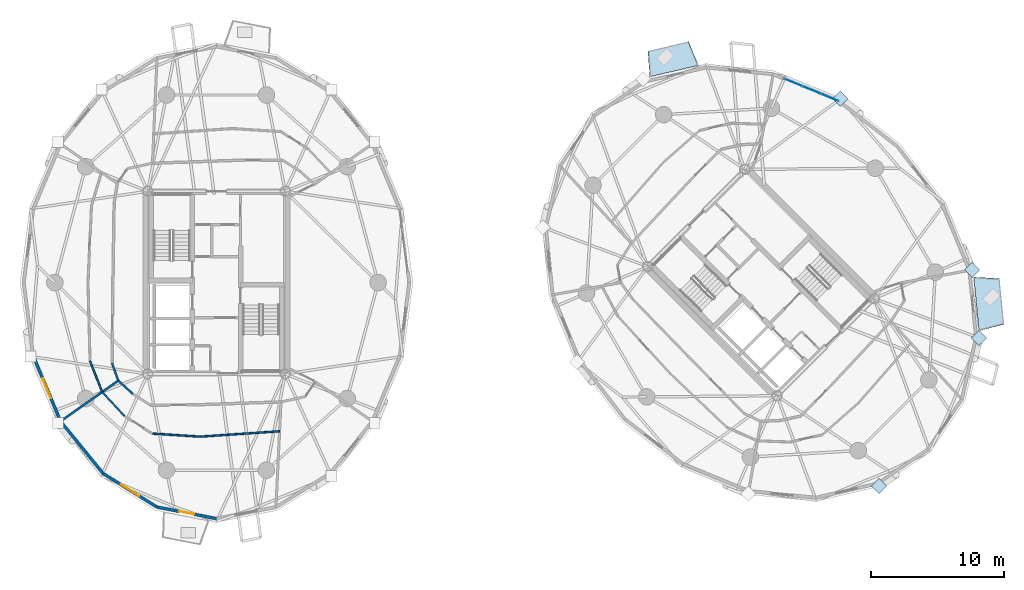
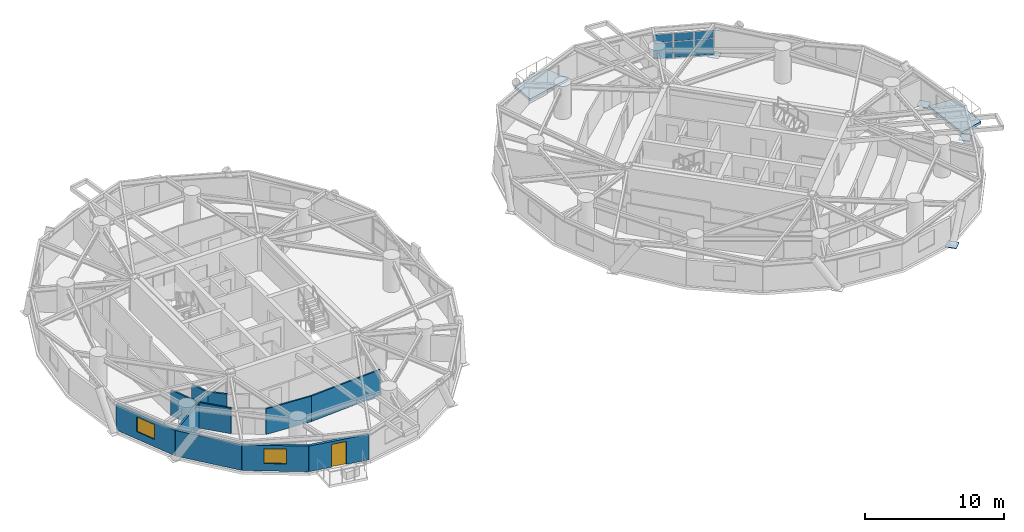
# One storey, part 10 of 19: 11 walls, 10 plates, 2 slabs, 2 windows, 1 door, 3 openings, 1 element without a shape of its own.
"""IFC4 building model written with IfcOpenShell, lengths in metres."""

from ifc_helpers import new_model, si_unit, direction, frame, frame_2d, origin, origin_2d, place, context, subcontext, project, spatial, polyline, rectangle, outline, extrude, source, transform, mapped, material, layer, layer_set, type_object, element, fill, aggregate, save


model = new_model("IFC4")

# Units and contexts
model_context = context("Model", 3, precision=1e-05, world=origin(), true_north=direction((0.0, 1.0)))
body_context = subcontext(model_context, "Body", "Model", "MODEL_VIEW")
ifc_project = project(units=[si_unit("LENGTHUNIT", "METRE"), si_unit("AREAUNIT", "SQUARE_METRE"), si_unit("VOLUMEUNIT", "CUBIC_METRE"), si_unit("PLANEANGLEUNIT", "RADIAN"), si_unit("MASSUNIT", "GRAM", prefix="KILO")], contexts=[model_context])

# Site, building, storey
site_placement = place(None, origin())
site = spatial("IfcSite", under=ifc_project, at=site_placement, CompositionType="ELEMENT")
building_placement = place(site_placement, origin())
building = spatial("IfcBuilding", under=site, at=building_placement, Name="Cununo Teusaquillo Station Towers", CompositionType="ELEMENT")
storey_placement = place(building_placement, frame((0.0, 0.0, 160.330078125)))
storey = spatial("IfcBuildingStorey", under=building, at=storey_placement, Name="L50", CompositionType="ELEMENT", Elevation=160.330078125)

# Slabs
ifc_material_1 = material(Name="Concrete C50/60", Category="concrete")
ifc_layer_1 = layer(ifc_material_1, 0.2099609375)
ifc_layer_set_1 = layer_set([ifc_layer_1], Name="Concrete C50/60")
slab_type = type_object("IfcSlabType", Name="SLB-BAL-210", PredefinedType="FLOOR", material=ifc_layer_set_1)
slab_1_placement = place(storey_placement, frame((0.0, 0.0, -0.2099609375)))
element("IfcSlab", 1, at=slab_1_placement, inside=storey, type_object=slab_type, Name="L50 Tower B Tree Balcony Slab 1", PredefinedType="FLOOR", context=body_context, shape_type="SweptSolid", body=[
    extrude(outline(polyline([(52.78662109375, 40.854736328125), (49.128662109375, 40.001220703125), (48.985595703125, 41.934326171875), (52.059326171875, 42.651611328125), (52.78662109375, 40.854736328125)])), origin(), (0.0, 0.0, 1.0), 0.2099609375),
])
slab_2_placement = place(storey_placement, frame((0.0, 0.0, -0.2099609375)))
element("IfcSlab", 2, at=slab_2_placement, inside=storey, type_object=slab_type, Name="L50 Tower B Tree Balcony Slab 2", PredefinedType="FLOOR", context=body_context, shape_type="SweptSolid", body=[
    extrude(outline(polyline([(73.92578125, 20.871337890625), (73.52490234375, 24.914794921875), (75.460205078125, 24.80517578125), (75.8017578125, 21.358642578125), (73.92578125, 20.871337890625)])), origin(), (0.0, 0.0, 1.0), 0.2099609375),
])

# Plates
ifc_material_2 = material(Name="Steel ASTM A572 Grade 50", Category="steel")
ifc_layer_2 = layer(ifc_material_2, 0.044921875)
ifc_layer_set_2 = layer_set([ifc_layer_2], Name="Steel ASTM A572 Grade 50")
plate_type_1 = type_object("IfcPlateType", Name="PLT-NODE-DN2", PredefinedType="USERDEFINED", material=ifc_layer_set_2)
shared_shape_1 = source(origin(), body_context, "Body", "SweptSolid", [
    extrude(rectangle(XDim=0.820068359375, YDim=0.820068359375, at=origin_2d()), origin(), (0.0, 0.0, 1.0), 0.044921875),
])
for number, where, z_axis, x_axis, name in (
    (3, (63.478271484375, 38.340087890625, -0.16259765625), (0.0, 0.0, 1.0), (0.707106781187, 0.707106781187, 0.0), "L50 Tower B Diagrid Node Assembly C00"),
    (4, (66.37841796875, 9.181884765625, -0.16259765625), (0.0, 0.0, 1.0), (0.707106781187, 0.707106781187, 0.0), "L50 Tower B Diagrid Node Assembly C14"),
    (5, (73.91552734375, 20.3330078125, -0.16259765625), (0.0, 0.0, 1.0), (0.707106781187, 0.707106781187, 0.0), "L50 Tower B Diagrid Node Assembly C16"),
    (6, (73.406494140625, 25.4521484375, -0.16259765625), (0.0, 0.0, 1.0), (0.707106781187, 0.707106781187, 0.0), "L50 Tower B Diagrid Node Assembly C18"),
):
    element("IfcPlate", number, at=place(storey_placement, frame(where, z_axis=z_axis, x_axis=x_axis)), inside=storey, type_object=plate_type_1, Name=name, ObjectType="GUSSET PLATE", PredefinedType="USERDEFINED", context=body_context, shape_type="MappedRepresentation", body=[
        mapped(shared_shape_1, transform((0.0, 0.0, 0.0), x_axis=(1.0, 0.0, 0.0), y_axis=(0.0, 1.0, 0.0), z_axis=(0.0, 0.0, 1.0), scale=1.0)),
    ])

# Curtain wall, plates
ifc_material_3 = material(Name="Operable acoustic tinted low-E double glazing", Category="glass")
ifc_layer_3 = layer(ifc_material_3, 0.179931640625)
ifc_layer_set_3 = layer_set([ifc_layer_3], Name="Operable acoustic tinted low-E double glazing")
curtain_wall_type = type_object("IfcCurtainWallType", Name="CW-SYS-06", PredefinedType="USERDEFINED", material=ifc_layer_set_3)
curtain_wall_placement = place(storey_placement, origin())
curtain_wall = element("IfcCurtainWall", 7, at=curtain_wall_placement, inside=storey, type_object=curtain_wall_type, Name="L50 Tower B Facade Curtain Wall C01", ObjectType="OPERABLE GLAZING", PredefinedType="USERDEFINED")
ifc_material_4 = material(Name="Operable acoustic tinted low-E double glazing", Category="glass")
ifc_layer_4 = layer(ifc_material_4, 0.031982421875)
ifc_layer_set_4 = layer_set([ifc_layer_4], Name="Operable acoustic tinted low-E double glazing")
plate_type_2 = type_object("IfcPlateType", Name="CWP-OPER-32", PredefinedType="CURTAIN_PANEL", material=ifc_layer_set_4)
shared_shape_2 = source(origin(), body_context, "Body", "SweptSolid", [
    extrude(rectangle(XDim=1.40771484375, YDim=0.031982421875, at=origin_2d()), origin(), (0.0, 0.0, 1.0), 1.361572265625),
])
plate_1_placement = place(storey_placement, frame((59.91455078125, 39.572265625, 0.06494140625), z_axis=(0.0, 0.0, 1.0), x_axis=(0.924524840588, -0.381121790423, 0.0)))
plate_1 = element("IfcPlate", 8, at=plate_1_placement, type_object=plate_type_2, Name="CW-06 panel 1.1", PredefinedType="CURTAIN_PANEL", context=body_context, shape_type="MappedRepresentation", body=[
    mapped(shared_shape_2, transform((0.0, 0.0, 0.0), x_axis=(1.0, 0.0, 0.0), y_axis=(0.0, 1.0, 0.0), z_axis=(0.0, 0.0, 1.0), scale=1.0)),
])
plate_2_placement = place(storey_placement, frame((62.667724609375, 38.437255859375, 0.06494140625), z_axis=(0.0, 0.0, 1.0), x_axis=(0.924524840588, -0.381121790423, 0.0)))
plate_2 = element("IfcPlate", 9, at=plate_2_placement, type_object=plate_type_2, Name="CW-06 panel 3.1", PredefinedType="CURTAIN_PANEL", context=body_context, shape_type="MappedRepresentation", body=[
    mapped(shared_shape_2, transform((0.0, 0.0, 0.0), x_axis=(1.0, 0.0, 0.0), y_axis=(0.0, 1.0, 0.0), z_axis=(0.0, 0.0, 1.0), scale=1.0)),
])
shared_shape_3 = source(origin(), body_context, "Body", "SweptSolid", [
    extrude(rectangle(XDim=1.40771484375, YDim=0.031982421875, at=origin_2d()), origin(), (0.0, 0.0, 1.0), 0.6884765625),
])
plate_3_placement = place(storey_placement, frame((59.91455078125, 39.572265625, 1.491455078125), z_axis=(0.0, 0.0, 1.0), x_axis=(0.924524840588, -0.381121790423, 0.0)))
plate_3 = element("IfcPlate", 10, at=plate_3_placement, type_object=plate_type_2, Name="CW-06 panel 1.2", PredefinedType="CURTAIN_PANEL", context=body_context, shape_type="MappedRepresentation", body=[
    mapped(shared_shape_3, transform((0.0, 0.0, 0.0), x_axis=(1.0, 0.0, 0.0), y_axis=(0.0, 1.0, 0.0), z_axis=(0.0, 0.0, 1.0), scale=1.0)),
])
plate_4_placement = place(storey_placement, frame((62.667724609375, 38.437255859375, 1.491455078125), z_axis=(0.0, 0.0, 1.0), x_axis=(0.924524840588, -0.381121790423, 0.0)))
plate_4 = element("IfcPlate", 11, at=plate_4_placement, type_object=plate_type_2, Name="CW-06 panel 3.2", PredefinedType="CURTAIN_PANEL", context=body_context, shape_type="MappedRepresentation", body=[
    mapped(shared_shape_3, transform((0.0, 0.0, 0.0), x_axis=(1.0, 0.0, 0.0), y_axis=(0.0, 1.0, 0.0), z_axis=(0.0, 0.0, 1.0), scale=1.0)),
])
shared_shape_4 = source(origin(), body_context, "Body", "SweptSolid", [
    extrude(rectangle(XDim=1.440185546875, YDim=0.031982421875, at=origin_2d()), origin(), (0.0, 0.0, 1.0), 1.361572265625),
])
plate_5_placement = place(storey_placement, frame((61.291015625, 39.004638671875, 0.06494140625), z_axis=(0.0, 0.0, 1.0), x_axis=(0.924524840588, -0.381121790423, 0.0)))
plate_5 = element("IfcPlate", 12, at=plate_5_placement, type_object=plate_type_2, Name="CW-06 panel 2.1", PredefinedType="CURTAIN_PANEL", context=body_context, shape_type="MappedRepresentation", body=[
    mapped(shared_shape_4, transform((0.0, 0.0, 0.0), x_axis=(1.0, 0.0, 0.0), y_axis=(0.0, 1.0, 0.0), z_axis=(0.0, 0.0, 1.0), scale=1.0)),
])
shared_shape_5 = source(origin(), body_context, "Body", "SweptSolid", [
    extrude(rectangle(XDim=1.440185546875, YDim=0.031982421875, at=origin_2d()), origin(), (0.0, 0.0, 1.0), 0.6884765625),
])
plate_6_placement = place(storey_placement, frame((61.291015625, 39.004638671875, 1.491455078125), z_axis=(0.0, 0.0, 1.0), x_axis=(0.924524840588, -0.381121790423, 0.0)))
plate_6 = element("IfcPlate", 13, at=plate_6_placement, type_object=plate_type_2, Name="CW-06 panel 2.2", PredefinedType="CURTAIN_PANEL", context=body_context, shape_type="MappedRepresentation", body=[
    mapped(shared_shape_5, transform((0.0, 0.0, 0.0), x_axis=(1.0, 0.0, 0.0), y_axis=(0.0, 1.0, 0.0), z_axis=(0.0, 0.0, 1.0), scale=1.0)),
])
aggregate(curtain_wall, [plate_1, plate_3, plate_5, plate_6, plate_2, plate_4])

# Wall, opening, window
ifc_material_5 = material(Name="Precast concrete C40/50", Category="concrete")
ifc_layer_5 = layer(ifc_material_5, 0.219970703125)
ifc_layer_set_5 = layer_set([ifc_layer_5], Name="Precast concrete C40/50")
wall_type_1 = type_object("IfcWallType", Name="WL-EXT-220", PredefinedType="SOLIDWALL", material=ifc_layer_set_5)
wall_1_placement = place(storey_placement, frame((4.757080078125, 14.05517578125, 0.0), z_axis=(0.0, 0.0, 1.0), x_axis=(-0.384259959969, 0.923224936386, 0.0)))
wall_1 = element("IfcWall", 14, at=wall_1_placement, inside=storey, type_object=wall_type_1, Name="L50 Tower A Exterior Facade Wall C11", PredefinedType="SOLIDWALL", context=body_context, shape_type="SweptSolid", body=[
    extrude(rectangle(XDim=5.365478515625, YDim=0.219970703125, at=frame_2d((2.6826171875, 0.0))), origin(), (0.0, 0.0, 1.0), 2.244873046875),
])
shared_shape_6 = source(origin(), body_context, "Body", "SweptSolid", [
    extrude(rectangle(XDim=1.60009765625, YDim=1.300048828125, at=frame_2d((0.800048828125, 0.64990234375))), frame((0.0, 0.119873046875, 0.0), z_axis=(0.0, -1.0, 0.0), x_axis=(1.0, 0.0, 0.0)), (0.0, 0.0, 1.0), 0.239990234375),
])
opening_1_placement = place(wall_1_placement, frame((1.883056640625, 0.0, 0.64990234375)))
opening_1 = element("IfcOpeningElement", 15, at=opening_1_placement, cuts=wall_1, Name="Opening WN-03", PredefinedType="OPENING", context=body_context, shape_type="MappedRepresentation", body=[
    mapped(shared_shape_6, transform((0.0, 0.0, 0.0), x_axis=(1.0, 0.0, 0.0), y_axis=(0.0, 1.0, 0.0), z_axis=(0.0, 0.0, 1.0), scale=1.0)),
])
ifc_material_6 = material(Name="Ceramic-fritted dark low-E double glazing", Category="glass")
window_type = type_object("IfcWindowType", Name="WIN-CORN-1600", PartitioningType="SINGLE_PANEL", PredefinedType="WINDOW", material=ifc_material_6)
shared_shape_7 = source(origin(), body_context, "Body", "SweptSolid", [
    extrude(rectangle(XDim=1.60009765625, YDim=1.300048828125, at=frame_2d((0.800048828125, 0.64990234375))), frame((0.0, 0.030029296875, 0.0), z_axis=(0.0, -1.0, 0.0), x_axis=(1.0, 0.0, 0.0)), (0.0, 0.0, 1.0), 0.06005859375),
])
window_1_placement = place(opening_1_placement, origin())
window_1 = element("IfcWindow", 16, at=window_1_placement, inside=storey, type_object=window_type, Name="L50 Tower A Facade Window C11", OverallHeight=1.300048828125, OverallWidth=1.60009765625, PartitioningType="SINGLE_PANEL", PredefinedType="WINDOW", context=body_context, shape_type="MappedRepresentation", body=[
    mapped(shared_shape_7, transform((0.0, 0.0, 0.0), x_axis=(1.0, 0.0, 0.0), y_axis=(0.0, 1.0, 0.0), z_axis=(0.0, 0.0, 1.0), scale=1.0)),
])
fill(opening_1, window_1)

# Wall
wall_2_placement = place(storey_placement, frame((7.96826171875, 10.123779296875, 0.0), z_axis=(0.0, 0.0, 1.0), x_axis=(-0.632598524901, 0.774479894053, 0.0)))
element("IfcWall", 17, at=wall_2_placement, inside=storey, type_object=wall_type_1, Name="L50 Tower A Exterior Facade Wall C12", PredefinedType="SOLIDWALL", context=body_context, shape_type="SweptSolid", body=[
    extrude(rectangle(XDim=5.076171875, YDim=0.219970703125, at=frame_2d((2.5380859375, 0.0))), origin(), (0.0, 0.0, 1.0), 2.244873046875),
])

# Wall, opening, window
wall_3_placement = place(storey_placement, frame((12.0146484375, 7.599609375, 0.0), z_axis=(0.0, 0.0, 1.0), x_axis=(-0.848452391194, 0.529271707044, 0.0)))
wall_3 = element("IfcWall", 18, at=wall_3_placement, inside=storey, type_object=wall_type_1, Name="L50 Tower A Exterior Facade Wall C13", PredefinedType="SOLIDWALL", context=body_context, shape_type="SweptSolid", body=[
    extrude(rectangle(XDim=4.76904296875, YDim=0.219970703125, at=frame_2d((2.384521484375, 0.0))), origin(), (0.0, 0.0, 1.0), 2.244873046875),
])
opening_2_placement = place(wall_3_placement, frame((1.5849609375, 0.0, 0.64990234375)))
opening_2 = element("IfcOpeningElement", 19, at=opening_2_placement, cuts=wall_3, Name="Opening WN-03", PredefinedType="OPENING", context=body_context, shape_type="MappedRepresentation", body=[
    mapped(shared_shape_6, transform((0.0, 0.0, 0.0), x_axis=(1.0, 0.0, 0.0), y_axis=(0.0, 1.0, 0.0), z_axis=(0.0, 0.0, 1.0), scale=1.0)),
])
window_2_placement = place(opening_2_placement, origin())
window_2 = element("IfcWindow", 20, at=window_2_placement, inside=storey, type_object=window_type, Name="L50 Tower A Facade Window C13", OverallHeight=1.300048828125, OverallWidth=1.60009765625, PartitioningType="SINGLE_PANEL", PredefinedType="WINDOW", context=body_context, shape_type="MappedRepresentation", body=[
    mapped(shared_shape_7, transform((0.0, 0.0, 0.0), x_axis=(1.0, 0.0, 0.0), y_axis=(0.0, 1.0, 0.0), z_axis=(0.0, 0.0, 1.0), scale=1.0)),
])
fill(opening_2, window_2)

# Wall, opening, door
wall_4_placement = place(storey_placement, frame((16.5, 6.72998046875, 0.0), z_axis=(0.0, 0.0, 1.0), x_axis=(-0.981718699963, 0.190337579429, 0.0)))
wall_4 = element("IfcWall", 21, at=wall_4_placement, inside=storey, type_object=wall_type_1, Name="L50 Tower A Exterior Facade Wall C14", PredefinedType="SOLIDWALL", context=body_context, shape_type="SweptSolid", body=[
    extrude(rectangle(XDim=4.56884765625, YDim=0.219970703125, at=frame_2d((2.284423828125, 0.0))), origin(), (0.0, 0.0, 1.0), 2.244873046875),
])
shared_shape_8 = source(origin(), body_context, "Body", "SweptSolid", [
    extrude(rectangle(XDim=1.14990234375, YDim=2.0048828125, at=frame_2d((0.574951171875, 1.00244140625))), frame((0.0, 0.119873046875, 0.0), z_axis=(0.0, -1.0, 0.0), x_axis=(1.0, 0.0, 0.0)), (0.0, 0.0, 1.0), 0.239990234375),
])
opening_3_placement = place(wall_4_placement, frame((1.708984375, 0.0, 0.0)))
opening_3 = element("IfcOpeningElement", 22, at=opening_3_placement, cuts=wall_4, Name="Opening ED-03", PredefinedType="OPENING", context=body_context, shape_type="MappedRepresentation", body=[
    mapped(shared_shape_8, transform((0.0, 0.0, 0.0), x_axis=(1.0, 0.0, 0.0), y_axis=(0.0, 1.0, 0.0), z_axis=(0.0, 0.0, 1.0), scale=1.0)),
])
ifc_material_7 = material(Name="Anodised dark bronze aluminium EN AW-6063-T6", Category="aluminium")
door_type = type_object("IfcDoorType", Name="DR-EXT-BAL", OperationType="NOTDEFINED", PredefinedType="DOOR", material=ifc_material_7)
shared_shape_9 = source(origin(), body_context, "Body", "SweptSolid", [
    extrude(rectangle(XDim=1.14990234375, YDim=2.0048828125, at=frame_2d((0.574951171875, 1.00244140625))), frame((0.0, 0.02490234375, 0.0), z_axis=(0.0, -1.0, 0.0), x_axis=(1.0, 0.0, 0.0)), (0.0, 0.0, 1.0), 0.050048828125),
])
door_placement = place(opening_3_placement, origin())
door = element("IfcDoor", 23, at=door_placement, inside=storey, type_object=door_type, Name="L50 Tower A Tree Balcony Door C14", OperationType="SINGLE_SWING_LEFT", OverallHeight=2.0048828125, OverallWidth=1.14990234375, PredefinedType="DOOR", context=body_context, shape_type="MappedRepresentation", body=[
    mapped(shared_shape_9, transform((0.0, 0.0, 0.0), x_axis=(1.0, 0.0, 0.0), y_axis=(0.0, 1.0, 0.0), z_axis=(0.0, 0.0, 1.0), scale=1.0)),
])
fill(opening_3, door)

# Walls
ifc_material_8 = material(Name="Fire-rated gypsum plasterboard partition assembly", Category="gypsum")
ifc_layer_6 = layer(ifc_material_8, 0.125)
ifc_layer_set_6 = layer_set([ifc_layer_6], Name="Fire-rated gypsum plasterboard partition assembly")
wall_type_2 = type_object("IfcWallType", Name="WL-PART-125", PredefinedType="PARTITIONING", material=ifc_layer_set_6)
wall_5_placement = place(storey_placement, frame((6.97802734375, 18.59814453125, 0.0), z_axis=(0.0, 0.0, 1.0), x_axis=(0.363845250376, -0.931459410698, 0.0)))
element("IfcWall", 24, at=wall_5_placement, inside=storey, type_object=wall_type_2, Name="L50 Tower A Sabana Wellness & Spa Lounge Concentric Partition Wall C11", PredefinedType="PARTITIONING", context=body_context, shape_type="SweptSolid", body=[
    extrude(rectangle(XDim=2.5087890625, YDim=0.125, at=frame_2d((1.25439453125, 0.0))), origin(), (0.0, 0.0, 1.0), 2.244873046875),
])
wall_6_placement = place(storey_placement, frame((7.890869140625, 16.26123046875, 0.0), z_axis=(0.0, 0.0, 1.0), x_axis=(0.680443535441, -0.7328005152, 0.0)))
element("IfcWall", 25, at=wall_6_placement, inside=storey, type_object=wall_type_2, Name="L50 Tower A Cordillera Executive Conference Salon Concentric Partition Wall C12", PredefinedType="PARTITIONING", context=body_context, shape_type="SweptSolid", body=[
    extrude(rectangle(XDim=2.47607421875, YDim=0.125, at=frame_2d((1.238037109375, 0.0))), origin(), (0.0, 0.0, 1.0), 2.244873046875),
])
wall_7_placement = place(storey_placement, frame((11.660888671875, 13.132080078125, 0.0), z_axis=(0.0, 0.0, 1.0), x_axis=(0.997932841329, -0.064265419915, 0.0)))
element("IfcWall", 26, at=wall_7_placement, inside=storey, type_object=wall_type_2, Name="L50 Tower A Cordillera Executive Conference Salon Concentric Partition Wall C14", PredefinedType="PARTITIONING", context=body_context, shape_type="SweptSolid", body=[
    extrude(rectangle(XDim=3.624267578125, YDim=0.125, at=frame_2d((1.81201171875, 0.0))), origin(), (0.0, 0.0, 1.0), 2.244873046875),
])
wall_8_placement = place(storey_placement, frame((15.277587890625, 12.899169921875, 0.0), z_axis=(0.0, 0.0, 1.0), x_axis=(0.997695501463, 0.067850470592, 0.0)))
element("IfcWall", 27, at=wall_8_placement, inside=storey, type_object=wall_type_2, Name="L50 Tower A Cordillera Executive Conference Salon Concentric Partition Wall C15", PredefinedType="PARTITIONING", context=body_context, shape_type="SweptSolid", body=[
    extrude(rectangle(XDim=5.987548828125, YDim=0.125, at=frame_2d((2.99365234375, 0.0))), origin(), (0.0, 0.0, 1.0), 2.244873046875),
])
ifc_material_9 = material(Name="Fire-rated gypsum plasterboard partition assembly", Category="gypsum")
ifc_layer_7 = layer(ifc_material_9, 0.14990234375)
ifc_layer_set_7 = layer_set([ifc_layer_7], Name="Fire-rated gypsum plasterboard partition assembly")
wall_type_3 = type_object("IfcWallType", Name="WL-PART-150", PredefinedType="PARTITIONING", material=ifc_layer_set_7)
wall_9_placement = place(storey_placement, frame((8.63623046875, 18.43603515625, 0.0), z_axis=(0.0, 0.0, 1.0), x_axis=(0.333211866524, -0.942851977782, 0.0)))
element("IfcWall", 28, at=wall_9_placement, inside=storey, type_object=wall_type_3, Name="L50 Tower A Corridor Ring Wall C11", PredefinedType="PARTITIONING", context=body_context, shape_type="SweptSolid", body=[
    extrude(rectangle(XDim=1.401611328125, YDim=0.14990234375, at=frame_2d((0.70068359375, 0.0))), origin(), (0.0, 0.0, 1.0), 2.244873046875),
])
wall_10_placement = place(storey_placement, frame((9.103271484375, 17.114501953125, 0.0), z_axis=(0.0, 0.0, 1.0), x_axis=(0.740186897911, -0.672401186912, 0.0)))
element("IfcWall", 29, at=wall_10_placement, inside=storey, type_object=wall_type_3, Name="L50 Tower A Corridor Ring Wall C12", PredefinedType="PARTITIONING", context=body_context, shape_type="SweptSolid", body=[
    extrude(rectangle(XDim=1.4765625, YDim=0.14990234375, at=frame_2d((0.73828125, 0.0))), origin(), (0.0, 0.0, 1.0), 2.244873046875),
])
ifc_material_10 = material(Name="Fire-rated gypsum plasterboard partition assembly", Category="gypsum")
ifc_layer_8 = layer(ifc_material_10, 0.159912109375)
ifc_layer_set_8 = layer_set([ifc_layer_8], Name="Fire-rated gypsum plasterboard partition assembly")
wall_type_4 = type_object("IfcWallType", Name="WL-PART-160", PredefinedType="PARTITIONING", material=ifc_layer_set_8)
wall_11_placement = place(storey_placement, frame((9.103271484375, 17.114501953125, 0.0), z_axis=(0.0, 0.0, 1.0), x_axis=(-0.817760605426, -0.575558504597, 0.0)))
element("IfcWall", 30, at=wall_11_placement, inside=storey, type_object=wall_type_4, Name="L50 Tower A Radial Suite Partition R04", PredefinedType="PARTITIONING", context=body_context, shape_type="SweptSolid", body=[
    extrude(rectangle(XDim=5.294921875, YDim=0.159912109375, at=frame_2d((2.6474609375, 0.0))), origin(), (0.0, 0.0, 1.0), 2.244873046875),
])

save(model, "model.ifc")
